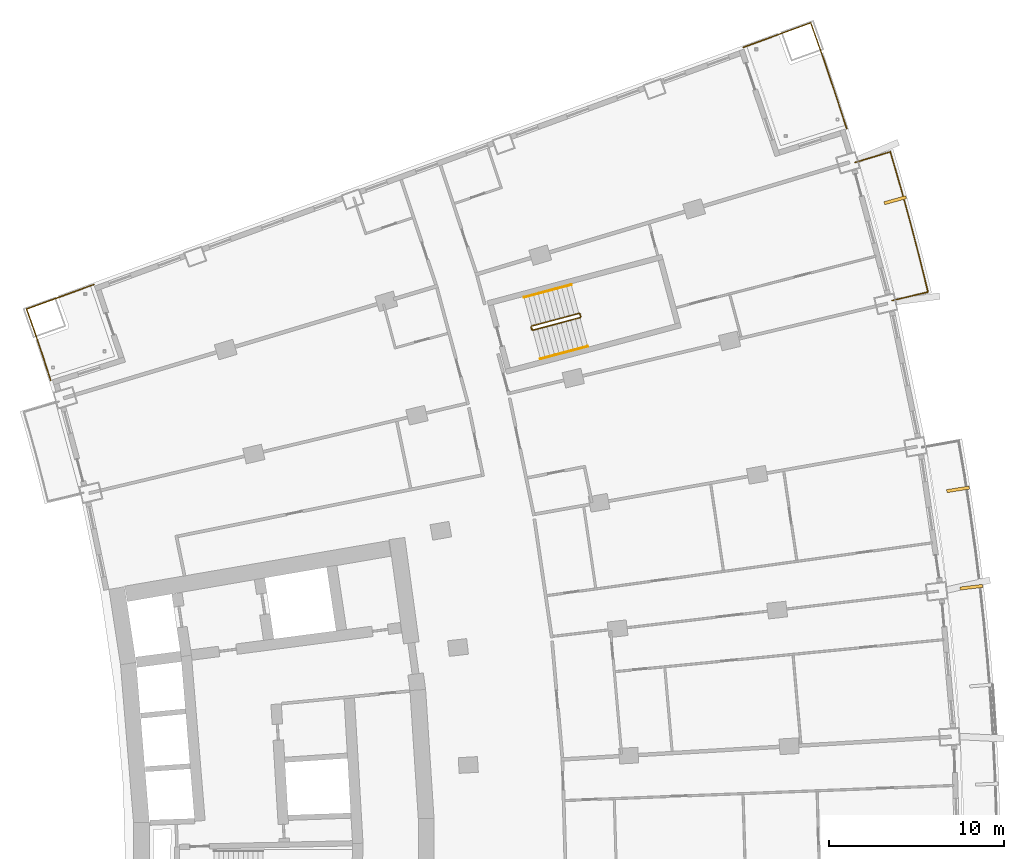
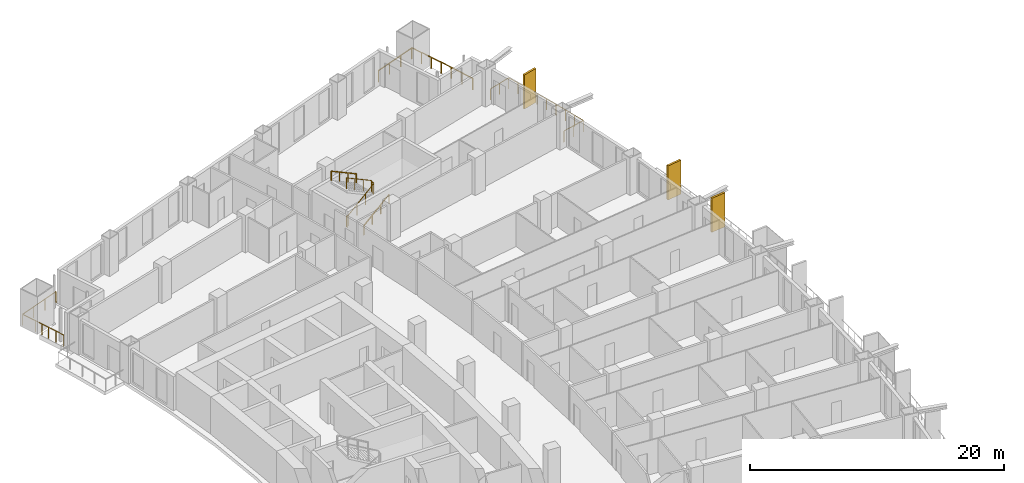
# One storey, part 25 of 25: 6 railings, 3 shading devices.
"""IFC4 building model written with IfcOpenShell, lengths in metres."""

import ifcopenshell
import ifcopenshell.guid

model = None  # the IFC model being written
_history = None  # IfcOwnerHistory: only IFC2X3 demands one
_inside = {}  # id of a spatial element -> (the spatial element, [elements in it])
_under = {}  # id of a project, library or spatial element -> (it, [spatial elements below it])
_declared = {}  # id of a project -> (the project, [libraries it declares])
_typed = {}  # id of a type object -> (the type object, [elements of that type])
_made_of = {}  # id of a material, layer set ... -> (it, [elements and type objects made of it])


def new_model(schema):
    """Start an empty IFC model of exactly this schema.

    Asked for "IFC4X3", IfcOpenShell would pick the latest addendum, in which some entities
    have other attributes; the version numbers below select the first issue.
    IFC2X3 requires an IfcOwnerHistory on every rooted entity: one is made here for all.
    """
    global model, _history
    if schema == "IFC4X3":
        model = ifcopenshell.file(schema_version=(4, 3, 0, 0))
    else:
        model = ifcopenshell.file(schema=schema)
    _inside.clear()
    _under.clear()
    _declared.clear()
    _typed.clear()
    _made_of.clear()
    _history = None
    if model.schema == "IFC2X3":
        org = make("IfcOrganization", Name="unknown")
        user = make(
            "IfcPersonAndOrganization",
            ThePerson=make("IfcPerson", FamilyName="unknown"),
            TheOrganization=org,
        )
        app = make(
            "IfcApplication",
            ApplicationDeveloper=org,
            Version="unknown",
            ApplicationFullName="unknown",
            ApplicationIdentifier="unknown",
        )
        _history = make(
            "IfcOwnerHistory",
            OwningUser=user,
            OwningApplication=app,
            ChangeAction="ADDED",
            CreationDate=0,
        )
    return model


def make(cls, **values):
    """One entity of the class cls with the attributes given. An attribute that is None is left unset."""
    return model.create_entity(
        cls, **{name: value for name, value in values.items() if value is not None}
    )


def rooted(cls, **values):
    """An entity with a GlobalId (a new one), such as an element, a storey or a relation."""
    return make(cls, GlobalId=ifcopenshell.guid.new(), OwnerHistory=_history, **values)


def si_unit(unit_type, name, prefix=None):
    """IfcSIUnit, for example si_unit("LENGTHUNIT", "METRE", prefix="MILLI")."""
    return make("IfcSIUnit", UnitType=unit_type, Prefix=prefix, Name=name)


def assignment(units):
    """IfcUnitAssignment: the units of a project."""
    return None if units is None else make("IfcUnitAssignment", Units=units)


def point(xyz):
    """IfcCartesianPoint."""
    return None if xyz is None else make("IfcCartesianPoint", Coordinates=xyz)


def direction(xyz):
    """IfcDirection."""
    return None if xyz is None else make("IfcDirection", DirectionRatios=xyz)


def frame(location, z_axis=None, x_axis=None):
    """IfcAxis2Placement3D, a coordinate frame: its origin and axes. An axis left out is left unset."""
    return make(
        "IfcAxis2Placement3D",
        Location=point(location),
        Axis=direction(z_axis),
        RefDirection=direction(x_axis),
    )


def frame_2d(location, x_axis=None):
    """IfcAxis2Placement2D, a coordinate frame in the plane: its origin and x axis."""
    return make(
        "IfcAxis2Placement2D", Location=point(location), RefDirection=direction(x_axis)
    )


def origin():
    """The frame at (0, 0, 0) with its axes left unset."""
    return frame((0.0, 0.0, 0.0))


def origin_2d():
    """The frame at (0, 0) in the plane with its x axis left unset."""
    return frame_2d((0.0, 0.0))


def place(relative_to, where):
    """IfcLocalPlacement: puts the frame where relative to a parent placement (None: the world)."""
    return make(
        "IfcLocalPlacement", PlacementRelTo=relative_to, RelativePlacement=where
    )


def context(
    kind, dimensions, precision=None, world=None, true_north=None, identifier=None
):
    """IfcGeometricRepresentationContext, for example the 3D "Model" context."""
    return make(
        "IfcGeometricRepresentationContext",
        ContextIdentifier=identifier,
        ContextType=kind,
        CoordinateSpaceDimension=dimensions,
        Precision=precision,
        WorldCoordinateSystem=world,
        TrueNorth=true_north,
    )


def subcontext(parent, identifier, kind, view, scale=None):
    """IfcGeometricRepresentationSubContext, for example "Body" below "Model"."""
    return make(
        "IfcGeometricRepresentationSubContext",
        ContextIdentifier=identifier,
        ContextType=kind,
        ParentContext=parent,
        TargetScale=scale,
        TargetView=view,
    )


def project(units=None, contexts=None):
    """IfcProject with its units and contexts."""
    return rooted(
        "IfcProject",
        Name="project",
        RepresentationContexts=contexts,
        UnitsInContext=assignment(units),
    )


def spatial(cls, under=None, at=None, **own):
    """A site, building, storey or space (cls), placed at a placement, below another one or the project."""
    s = rooted(cls, ObjectPlacement=at, **own)
    if under is not None:
        _under.setdefault(under.id(), (under, []))[1].append(s)
    return s


def profile(cls, at=None, kind="AREA", **sizes):
    """A parametric profile (cls). Its sizes go by their IFC names, for example OverallWidth=200.0."""
    return make(cls, ProfileType=kind, Position=at, **sizes)


def rectangle(**sizes):
    """IfcRectangleProfileDef."""
    return profile("IfcRectangleProfileDef", **sizes)


def extrude(swept, where, along, depth):
    """IfcExtrudedAreaSolid: the profile swept, set in the frame where, extruded along a direction by depth."""
    return make(
        "IfcExtrudedAreaSolid",
        SweptArea=swept,
        Position=where,
        ExtrudedDirection=direction(along),
        Depth=depth,
    )


def shape(context_of_items, identifier, shape_type, items):
    """IfcShapeRepresentation: the items that make up one representation, for example the "Body"."""
    return make(
        "IfcShapeRepresentation",
        ContextOfItems=context_of_items,
        RepresentationIdentifier=identifier,
        RepresentationType=shape_type,
        Items=items,
    )


def material(Name=None, Category=None):
    """IfcMaterial."""
    return make("IfcMaterial", Name=Name, Category=Category)


def layer(
    of_material, thickness, ventilated=None, Name=None, Category=None, Priority=None
):
    """IfcMaterialLayer: one layer of a wall or slab, of a material (None: an air gap)."""
    return make(
        "IfcMaterialLayer",
        Material=of_material,
        LayerThickness=thickness,
        IsVentilated=ventilated,
        Name=Name,
        Category=Category,
        Priority=Priority,
    )


def layer_set(layers, Name=None):
    """IfcMaterialLayerSet."""
    return make("IfcMaterialLayerSet", MaterialLayers=layers, LayerSetName=Name)


def made_of(thing, what):
    """Note that an element or type object is made of a material, layer set ...; save() writes the relation."""
    if what is not None:
        _made_of.setdefault(what.id(), (what, []))[1].append(thing)
    return thing


def type_object(cls, material=None, **own):
    """A type object (cls), such as IfcWallType, which elements share."""
    return made_of(rooted(cls, **own), material)


def element(
    cls,
    number,
    at=None,
    inside=None,
    cuts=None,
    type_object=None,
    material=None,
    context=None,
    identifier="Body",
    shape_type=None,
    held_by="IfcProductDefinitionShape",
    body=None,
    shapes=None,
    **own,
):
    """One element of the class cls, such as IfcWall. Its Tag is "e" and its number.

    at: its placement. inside: the storey or other place that contains it. cuts: it is an
    opening in that element (IfcRelVoidsElement). A single representation is given by context,
    identifier, shape_type and body (its items); several are given by shapes. held_by: the class
    of the entity that holds the representations. save() writes the other relations.
    """
    e = rooted(cls, Tag="e%d" % number, ObjectPlacement=at, **own)
    if body is not None:
        shapes = [shape(context, identifier, shape_type, body)]
    if shapes is not None:
        e.Representation = make(held_by, Representations=shapes)
    if inside is not None:
        _inside.setdefault(inside.id(), (inside, []))[1].append(e)
    if cuts is not None:
        rooted(
            "IfcRelVoidsElement", RelatingBuildingElement=cuts, RelatedOpeningElement=e
        )
    if type_object is not None:
        _typed.setdefault(type_object.id(), (type_object, []))[1].append(e)
    return made_of(e, material)


def aggregate(whole, parts):
    """IfcRelAggregates: a whole, such as a stair, and the parts it consists of."""
    return rooted("IfcRelAggregates", RelatingObject=whole, RelatedObjects=parts)


def save(model, path):
    """Write the relations noted so far, then the file.

    IfcRelAggregates (storeys below a building ...), IfcRelContainedInSpatialStructure (elements
    in a storey), IfcRelDefinesByType, IfcRelAssociatesMaterial and IfcRelDeclares: one each for
    every whole, place, type object, material and project.
    """
    for whole, parts in _under.values():
        aggregate(whole, parts)
    for where, things in _inside.values():
        rooted(
            "IfcRelContainedInSpatialStructure",
            RelatedElements=things,
            RelatingStructure=where,
        )
    for kind, things in _typed.values():
        rooted("IfcRelDefinesByType", RelatedObjects=things, RelatingType=kind)
    for what, things in _made_of.values():
        rooted("IfcRelAssociatesMaterial", RelatedObjects=things, RelatingMaterial=what)
    for by, libraries in _declared.values():
        rooted("IfcRelDeclares", RelatingContext=by, RelatedDefinitions=libraries)
    model.write(path)


model = new_model("IFC4")

# Units and contexts
model_context = context("Model", 3, precision=1e-05, world=origin(), true_north=direction((0.0, 1.0)))
body_context = subcontext(model_context, "Body", "Model", "MODEL_VIEW")
ifc_project = project(units=[si_unit("LENGTHUNIT", "METRE"), si_unit("AREAUNIT", "SQUARE_METRE"), si_unit("VOLUMEUNIT", "CUBIC_METRE"), si_unit("PLANEANGLEUNIT", "RADIAN"), si_unit("MASSUNIT", "GRAM", prefix="KILO")], contexts=[model_context])

# Site, building, storey
site_placement = place(None, origin())
site = spatial("IfcSite", under=ifc_project, at=site_placement, CompositionType="ELEMENT")
building_placement = place(site_placement, origin())
building = spatial("IfcBuilding", under=site, at=building_placement, Name="Alderwake Tower", CompositionType="ELEMENT")
storey_placement = place(building_placement, frame((0.0, 0.0, 35.60009765625)))
storey = spatial("IfcBuildingStorey", under=building, at=storey_placement, Name="L07", CompositionType="ELEMENT", Elevation=35.60009765625)

# Railings
ifc_material_1 = material(Name="Stainless steel 316 rail and posts", Category="steel")
railing_type_1 = type_object("IfcRailingType", Name="Balcony guard 1100", PredefinedType="GUARDRAIL", material=ifc_material_1)
railing_1_placement = place(storey_placement, frame((59.88037109375, 94.345703125, 0.0)))
element("IfcRailing", 1, at=railing_1_placement, inside=storey, type_object=railing_type_1, Name="Guard BF11", PredefinedType="GUARDRAIL", context=body_context, shape_type="SweptSolid", body=[
    extrude(rectangle(XDim=0.048095703125, YDim=0.048095703125, at=origin_2d()), frame((0.0, 0.0, 1.076171875), z_axis=(0.972757543149, 0.231824852521, 0.0), x_axis=(-0.231824852521, 0.972757543149, 0.0)), (0.0, 0.0, 1.0), 2.099853515625),
    extrude(rectangle(XDim=0.048095703125, YDim=0.048095703125, at=origin_2d()), frame((2.042724609375, 0.48681640625, 1.076171875), z_axis=(-0.238624335731, 0.971111953586, 0.0), x_axis=(-0.971111953586, -0.238624335731, 0.0)), (0.0, 0.0, 1.0), 2.02783203125),
    extrude(rectangle(XDim=0.048095703125, YDim=0.048095703125, at=origin_2d()), frame((1.558837890625, 2.4560546875, 1.076171875), z_axis=(-0.252459268242, 0.967607522645, 0.0), x_axis=(-0.967607522645, -0.252459268242, 0.0)), (0.0, 0.0, 1.0), 2.12744140625),
    extrude(rectangle(XDim=0.048095703125, YDim=0.048095703125, at=origin_2d()), frame((1.021728515625, 4.5146484375, 1.076171875), z_axis=(-0.266542966144, 0.963823037284, 0.0), x_axis=(-0.963823037284, -0.266542966144, 0.0)), (0.0, 0.0, 1.0), 2.127685546875),
    extrude(rectangle(XDim=0.048095703125, YDim=0.048095703125, at=origin_2d()), frame((0.45458984375, 6.5654296875, 1.076171875), z_axis=(-0.280171060033, 0.959950090953, 0.0), x_axis=(-0.959950090953, -0.280171060033, 0.0)), (0.0, 0.0, 1.0), 2.02783203125),
    extrude(rectangle(XDim=0.048095703125, YDim=0.048095703125, at=origin_2d()), frame((-0.113525390625, 8.511962890625, 1.076171875), z_axis=(-0.957954179098, -0.286921227429, 0.0), x_axis=(0.286921227429, -0.957954179098, 0.0)), (0.0, 0.0, 1.0), 2.10009765625),
    extrude(rectangle(XDim=0.0419921875, YDim=0.0419921875, at=origin_2d()), frame((0.0, 0.0, 0.0), z_axis=(0.0, 0.0, 1.0), x_axis=(0.972757543149, 0.231824852521, 0.0)), (0.0, 0.0, 1.0), 1.052001953125),
    extrude(rectangle(XDim=0.0419921875, YDim=0.0419921875, at=origin_2d()), frame((1.021484375, 0.243408203125, 0.0), z_axis=(0.0, 0.0, 1.0), x_axis=(0.972757543149, 0.231824852521, 0.0)), (0.0, 0.0, 1.0), 1.052001953125),
    extrude(rectangle(XDim=0.0419921875, YDim=0.0419921875, at=origin_2d()), frame((2.042724609375, 0.48681640625, 0.0), z_axis=(0.0, 0.0, 1.0), x_axis=(-0.238624335731, 0.971111953586, 0.0)), (0.0, 0.0, 1.0), 1.052001953125),
    extrude(rectangle(XDim=0.0419921875, YDim=0.0419921875, at=origin_2d()), frame((1.80078125, 1.471435546875, 0.0), z_axis=(0.0, 0.0, 1.0), x_axis=(-0.238624335731, 0.971111953586, 0.0)), (0.0, 0.0, 1.0), 1.052001953125),
    extrude(rectangle(XDim=0.0419921875, YDim=0.0419921875, at=origin_2d()), frame((1.558837890625, 2.4560546875, 0.0), z_axis=(0.0, 0.0, 1.0), x_axis=(-0.252459268242, 0.967607522645, 0.0)), (0.0, 0.0, 1.0), 1.052001953125),
    extrude(rectangle(XDim=0.0419921875, YDim=0.0419921875, at=origin_2d()), frame((1.290283203125, 3.4853515625, 0.0), z_axis=(0.0, 0.0, 1.0), x_axis=(-0.252459268242, 0.967607522645, 0.0)), (0.0, 0.0, 1.0), 1.052001953125),
    extrude(rectangle(XDim=0.0419921875, YDim=0.0419921875, at=origin_2d()), frame((1.021728515625, 4.5146484375, 0.0), z_axis=(0.0, 0.0, 1.0), x_axis=(-0.266542966144, 0.963823037284, 0.0)), (0.0, 0.0, 1.0), 1.052001953125),
    extrude(rectangle(XDim=0.0419921875, YDim=0.0419921875, at=origin_2d()), frame((0.73828125, 5.5400390625, 0.0), z_axis=(0.0, 0.0, 1.0), x_axis=(-0.266542966144, 0.963823037284, 0.0)), (0.0, 0.0, 1.0), 1.052001953125),
    extrude(rectangle(XDim=0.0419921875, YDim=0.0419921875, at=origin_2d()), frame((0.45458984375, 6.5654296875, 0.0), z_axis=(0.0, 0.0, 1.0), x_axis=(-0.280171060033, 0.959950090953, 0.0)), (0.0, 0.0, 1.0), 1.052001953125),
    extrude(rectangle(XDim=0.0419921875, YDim=0.0419921875, at=origin_2d()), frame((0.17041015625, 7.53857421875, 0.0), z_axis=(0.0, 0.0, 1.0), x_axis=(-0.280171060033, 0.959950090953, 0.0)), (0.0, 0.0, 1.0), 1.052001953125),
    extrude(rectangle(XDim=0.0419921875, YDim=0.0419921875, at=origin_2d()), frame((-0.113525390625, 8.511962890625, 0.0), z_axis=(0.0, 0.0, 1.0), x_axis=(-0.957954179098, -0.286921227429, 0.0)), (0.0, 0.0, 1.0), 1.052001953125),
    extrude(rectangle(XDim=0.0419921875, YDim=0.0419921875, at=origin_2d()), frame((-1.119384765625, 8.210693359375, 0.0), z_axis=(0.0, 0.0, 1.0), x_axis=(-0.957954179098, -0.286921227429, 0.0)), (0.0, 0.0, 1.0), 1.052001953125),
    extrude(rectangle(XDim=0.0419921875, YDim=0.0419921875, at=origin_2d()), frame((-2.125244140625, 7.909423828125, 0.0), z_axis=(0.0, 0.0, 1.0), x_axis=(-0.957954179098, -0.286921227429, 0.0)), (0.0, 0.0, 1.0), 1.052001953125),
])
railing_2_placement = place(storey_placement, frame((57.2646484375, 104.193115234375, 0.0)))
element("IfcRailing", 2, at=railing_2_placement, inside=storey, type_object=railing_type_1, Name="Guard terrace FN", PredefinedType="GUARDRAIL", context=body_context, shape_type="SweptSolid", body=[
    extrude(rectangle(XDim=0.048095703125, YDim=0.048095703125, at=origin_2d()), frame((0.0, 0.0, 1.076171875), z_axis=(-0.307834426273, 0.951439943455, 0.0), x_axis=(-0.951439943455, -0.307834426273, 0.0)), (0.0, 0.0, 1.0), 2.29833984375),
    extrude(rectangle(XDim=0.048095703125, YDim=0.048095703125, at=origin_2d()), frame((-0.70751953125, 2.186767578125, 1.076171875), z_axis=(-0.322259361339, 0.946651416324, 0.0), x_axis=(-0.946651416324, -0.322259361339, 0.0)), (0.0, 0.0, 1.0), 2.0986328125),
    extrude(rectangle(XDim=0.048095703125, YDim=0.048095703125, at=origin_2d()), frame((-1.3837890625, 4.17333984375, 1.076171875), z_axis=(-0.335694014626, 0.941971086894, 0.0), x_axis=(-0.941971086894, -0.335694014626, 0.0)), (0.0, 0.0, 1.0), 1.99853515625),
    extrude(rectangle(XDim=0.048095703125, YDim=0.048095703125, at=origin_2d()), frame((-2.0546875, 6.055908203125, 1.076171875), z_axis=(-0.939598546558, -0.342278499627, 0.0), x_axis=(0.342278499627, -0.939598546558, 0.0)), (0.0, 0.0, 1.0), 4.099853515625),
    extrude(rectangle(XDim=0.0419921875, YDim=0.0419921875, at=origin_2d()), frame((0.0, 0.0, 0.0), z_axis=(0.0, 0.0, 1.0), x_axis=(-0.307834426273, 0.951439943455, 0.0)), (0.0, 0.0, 1.0), 1.052001953125),
    extrude(rectangle(XDim=0.0419921875, YDim=0.0419921875, at=origin_2d()), frame((-0.353759765625, 1.09326171875, 0.0), z_axis=(0.0, 0.0, 1.0), x_axis=(-0.307834426273, 0.951439943455, 0.0)), (0.0, 0.0, 1.0), 1.052001953125),
    extrude(rectangle(XDim=0.0419921875, YDim=0.0419921875, at=origin_2d()), frame((-0.70751953125, 2.186767578125, 0.0), z_axis=(0.0, 0.0, 1.0), x_axis=(-0.322259361339, 0.946651416324, 0.0)), (0.0, 0.0, 1.0), 1.052001953125),
    extrude(rectangle(XDim=0.0419921875, YDim=0.0419921875, at=origin_2d()), frame((-1.045654296875, 3.18017578125, 0.0), z_axis=(0.0, 0.0, 1.0), x_axis=(-0.322259361339, 0.946651416324, 0.0)), (0.0, 0.0, 1.0), 1.052001953125),
    extrude(rectangle(XDim=0.0419921875, YDim=0.0419921875, at=origin_2d()), frame((-1.3837890625, 4.17333984375, 0.0), z_axis=(0.0, 0.0, 1.0), x_axis=(-0.335694014626, 0.941971086894, 0.0)), (0.0, 0.0, 1.0), 1.052001953125),
    extrude(rectangle(XDim=0.0419921875, YDim=0.0419921875, at=origin_2d()), frame((-1.71923828125, 5.11474609375, 0.0), z_axis=(0.0, 0.0, 1.0), x_axis=(-0.335694014626, 0.941971086894, 0.0)), (0.0, 0.0, 1.0), 1.052001953125),
    extrude(rectangle(XDim=0.0419921875, YDim=0.0419921875, at=origin_2d()), frame((-2.0546875, 6.055908203125, 0.0), z_axis=(0.0, 0.0, 1.0), x_axis=(-0.939598546558, -0.342278499627, 0.0)), (0.0, 0.0, 1.0), 1.052001953125),
    extrude(rectangle(XDim=0.0419921875, YDim=0.0419921875, at=origin_2d()), frame((-3.3388671875, 5.588134765625, 0.0), z_axis=(0.0, 0.0, 1.0), x_axis=(-0.939598546558, -0.342278499627, 0.0)), (0.0, 0.0, 1.0), 1.052001953125),
    extrude(rectangle(XDim=0.0419921875, YDim=0.0419921875, at=origin_2d()), frame((-4.622802734375, 5.120361328125, 0.0), z_axis=(0.0, 0.0, 1.0), x_axis=(-0.939598546558, -0.342278499627, 0.0)), (0.0, 0.0, 1.0), 1.052001953125),
    extrude(rectangle(XDim=0.0419921875, YDim=0.0419921875, at=origin_2d()), frame((-5.906982421875, 4.652587890625, 0.0), z_axis=(0.0, 0.0, 1.0), x_axis=(-0.939598546558, -0.342278499627, 0.0)), (0.0, 0.0, 1.0), 1.052001953125),
])
railing_3_placement = place(storey_placement, frame((11.688720703125, 89.781982421875, 0.0)))
element("IfcRailing", 3, at=railing_3_placement, inside=storey, type_object=railing_type_1, Name="Guard terrace RN", PredefinedType="GUARDRAIL", context=body_context, shape_type="SweptSolid", body=[
    extrude(rectangle(XDim=0.048095703125, YDim=0.048095703125, at=origin_2d()), frame((0.0, 0.0, 1.076171875), z_axis=(-0.307479326145, 0.951554761426, 0.0), x_axis=(-0.951554761426, -0.307479326145, 0.0)), (0.0, 0.0, 1.0), 1.6015625),
    extrude(rectangle(XDim=0.048095703125, YDim=0.048095703125, at=origin_2d()), frame((-0.492431640625, 1.52392578125, 1.076171875), z_axis=(-0.322283727344, 0.946643121292, 0.0), x_axis=(-0.946643121292, -0.322283727344, 0.0)), (0.0, 0.0, 1.0), 1.4013671875),
    extrude(rectangle(XDim=0.048095703125, YDim=0.048095703125, at=origin_2d()), frame((-0.944091796875, 2.8505859375, 1.076171875), z_axis=(-0.335468607403, 0.942051385778, 0.0), x_axis=(-0.942051385778, -0.335468607403, 0.0)), (0.0, 0.0, 1.0), 1.30126953125),
    extrude(rectangle(XDim=0.048095703125, YDim=0.048095703125, at=origin_2d()), frame((-1.380615234375, 4.076416015625, 1.076171875), z_axis=(0.939708203232, 0.341977327873, 0.0), x_axis=(-0.341977327873, 0.939708203232, 0.0)), (0.0, 0.0, 1.0), 4.10009765625),
    extrude(rectangle(XDim=0.0419921875, YDim=0.0419921875, at=origin_2d()), frame((0.0, 0.0, 0.0), z_axis=(0.0, 0.0, 1.0), x_axis=(-0.307479326145, 0.951554761426, 0.0)), (0.0, 0.0, 1.0), 1.052001953125),
    extrude(rectangle(XDim=0.0419921875, YDim=0.0419921875, at=origin_2d()), frame((-0.24609375, 0.761962890625, 0.0), z_axis=(0.0, 0.0, 1.0), x_axis=(-0.307479326145, 0.951554761426, 0.0)), (0.0, 0.0, 1.0), 1.052001953125),
    extrude(rectangle(XDim=0.0419921875, YDim=0.0419921875, at=origin_2d()), frame((-0.492431640625, 1.52392578125, 0.0), z_axis=(0.0, 0.0, 1.0), x_axis=(-0.322283727344, 0.946643121292, 0.0)), (0.0, 0.0, 1.0), 1.052001953125),
    extrude(rectangle(XDim=0.0419921875, YDim=0.0419921875, at=origin_2d()), frame((-0.71826171875, 2.187255859375, 0.0), z_axis=(0.0, 0.0, 1.0), x_axis=(-0.322283727344, 0.946643121292, 0.0)), (0.0, 0.0, 1.0), 1.052001953125),
    extrude(rectangle(XDim=0.0419921875, YDim=0.0419921875, at=origin_2d()), frame((-0.944091796875, 2.8505859375, 0.0), z_axis=(0.0, 0.0, 1.0), x_axis=(-0.335468607403, 0.942051385778, 0.0)), (0.0, 0.0, 1.0), 1.052001953125),
    extrude(rectangle(XDim=0.0419921875, YDim=0.0419921875, at=origin_2d()), frame((-1.380615234375, 4.076416015625, 0.0), z_axis=(0.0, 0.0, 1.0), x_axis=(0.939708203232, 0.341977327873, 0.0)), (0.0, 0.0, 1.0), 1.052001953125),
    extrude(rectangle(XDim=0.0419921875, YDim=0.0419921875, at=origin_2d()), frame((-0.096435546875, 4.543701171875, 0.0), z_axis=(0.0, 0.0, 1.0), x_axis=(0.939708203232, 0.341977327873, 0.0)), (0.0, 0.0, 1.0), 1.052001953125),
    extrude(rectangle(XDim=0.0419921875, YDim=0.0419921875, at=origin_2d()), frame((1.18798828125, 5.01123046875, 0.0), z_axis=(0.0, 0.0, 1.0), x_axis=(0.939708203232, 0.341977327873, 0.0)), (0.0, 0.0, 1.0), 1.052001953125),
    extrude(rectangle(XDim=0.0419921875, YDim=0.0419921875, at=origin_2d()), frame((2.47216796875, 5.478515625, 0.0), z_axis=(0.0, 0.0, 1.0), x_axis=(0.939708203232, 0.341977327873, 0.0)), (0.0, 0.0, 1.0), 1.052001953125),
])

# Shading devices
ifc_material_2 = material(Name="Bronze anodised aluminium", Category="aluminium")
ifc_layer = layer(ifc_material_2, 0.179931640625)
ifc_layer_set = layer_set([ifc_layer], Name="Facade fin 1300")
shading_device_type = type_object("IfcShadingDeviceType", Name="Facade fin 1300", PredefinedType="USERDEFINED", material=ifc_layer_set)
for number, where, z_axis, x_axis, name in (
    (4, (64.410888671875, 77.9296875, 0.0), (0.0, 0.0, 1.0), (0.993198315083, 0.116434990084, 0.0), "Fin"),
    (5, (63.643310546875, 83.533203125, 0.0), (0.0, 0.0, 1.0), (0.987918787879, 0.154972476771, 0.0), "Fin"),
    (6, (60.046630859375, 100.0908203125, 0.0), (0.0, 0.0, 1.0), (0.96318180783, 0.268850897459, 0.0), "Fin"),
):
    element("IfcShadingDevice", number, at=place(storey_placement, frame(where, z_axis=z_axis, x_axis=x_axis)), inside=storey, type_object=shading_device_type, Name=name, ObjectType="FIN", PredefinedType="USERDEFINED", context=body_context, shape_type="SweptSolid", body=[
        extrude(rectangle(XDim=1.300048828125, YDim=0.179931640625, at=origin_2d()), origin(), (0.0, 0.0, 1.0), 3.280029296875),
    ])

# Railings
ifc_material_3 = material(Name="Stainless steel guard", Category="steel")
railing_type_2 = type_object("IfcRailingType", Name="Stair guard 1100", PredefinedType="GUARDRAIL", material=ifc_material_3)
railing_4_placement = place(storey_placement, frame((39.23291015625, 92.6806640625, 0.0)))
element("IfcRailing", 7, at=railing_4_placement, inside=storey, type_object=railing_type_2, Name="L07 ST-A stair guard 1", PredefinedType="GUARDRAIL", context=body_context, shape_type="SweptSolid", body=[
    extrude(rectangle(XDim=0.048095703125, YDim=0.048095703125, at=origin_2d()), frame((0.0, 0.0, 1.076171875), z_axis=(-0.257055032184, 0.966396766566, 0.0), x_axis=(-0.966396766566, -0.257055032184, 0.0)), (0.0, 0.0, 1.0), 0.150146484375),
    extrude(rectangle(XDim=0.048095703125, YDim=0.048095703125, at=origin_2d()), frame((-0.03857421875, 0.14501953125, 1.076171875), z_axis=(0.379370725808, -0.685464465458, 0.621463047167), x_axis=(0.874937996095, 0.484234966715, 0.0)), (0.0, 0.0, 1.0), 0.26318359375),
    extrude(rectangle(XDim=0.048095703125, YDim=0.048095703125, at=origin_2d()), frame((0.061279296875, -0.035400390625, 1.23974609375), z_axis=(0.834290631165, 0.222236594766, 0.504549342183), x_axis=(-0.257402139082, 0.966304371715, 0.0)), (0.0, 0.0, 1.0), 3.242919921875),
    extrude(rectangle(XDim=0.048095703125, YDim=0.048095703125, at=origin_2d()), frame((2.766845703125, 0.685302734375, 2.8759765625), z_axis=(0.500220121494, 0.865898279276, 0.0), x_axis=(-0.865898279276, 0.500220121494, 0.0)), (0.0, 0.0, 1.0), 0.07080078125),
    extrude(rectangle(XDim=0.048095703125, YDim=0.048095703125, at=origin_2d()), frame((2.80224609375, 0.74658203125, 2.8759765625), z_axis=(-0.257459803502, 0.966289009345, 0.0), x_axis=(-0.966289009345, -0.257459803502, 0.0)), (0.0, 0.0, 1.0), 0.14990234375),
    extrude(rectangle(XDim=0.048095703125, YDim=0.048095703125, at=origin_2d()), frame((2.763671875, 0.891357421875, 2.8759765625), z_axis=(-0.34209458732, 0.199783238995, 0.918181872367), x_axis=(-0.504300490226, -0.863528236688, 0.0)), (0.0, 0.0, 1.0), 0.178466796875),
    extrude(rectangle(XDim=0.048095703125, YDim=0.048095703125, at=origin_2d()), frame((2.70263671875, 0.927001953125, 3.03955078125), z_axis=(-0.834313512087, -0.222222637163, 0.504517653885), x_axis=(0.257380452725, -0.966310148221, 0.0)), (0.0, 0.0, 1.0), 3.2431640625),
    extrude(rectangle(XDim=0.0419921875, YDim=0.0419921875, at=origin_2d()), frame((0.0, 0.0, 0.0), z_axis=(0.0, 0.0, 1.0), x_axis=(-0.257055032184, 0.966396766566, 0.0)), (0.0, 0.0, 1.0), 1.052001953125),
    extrude(rectangle(XDim=0.0419921875, YDim=0.0419921875, at=origin_2d()), frame((-0.03857421875, 0.14501953125, 0.0), z_axis=(0.0, 0.0, 1.0), x_axis=(0.484234966715, -0.874937996095, 0.0)), (0.0, 0.0, 1.0), 1.052001953125),
    extrude(rectangle(XDim=0.0419921875, YDim=0.0419921875, at=origin_2d()), frame((0.061279296875, -0.035400390625, 0.16357421875), z_axis=(0.0, 0.0, 1.0), x_axis=(0.966304371715, 0.257402139082, 0.0)), (0.0, 0.0, 1.0), 1.052001953125),
    extrude(rectangle(XDim=0.0419921875, YDim=0.0419921875, at=origin_2d()), frame((0.963134765625, 0.204833984375, 0.708984375), z_axis=(0.0, 0.0, 1.0), x_axis=(0.966304371715, 0.257402139082, 0.0)), (0.0, 0.0, 1.0), 1.052001953125),
    extrude(rectangle(XDim=0.0419921875, YDim=0.0419921875, at=origin_2d()), frame((1.864990234375, 0.445068359375, 1.25439453125), z_axis=(0.0, 0.0, 1.0), x_axis=(0.966304371715, 0.257402139082, 0.0)), (0.0, 0.0, 1.0), 1.052001953125),
    extrude(rectangle(XDim=0.0419921875, YDim=0.0419921875, at=origin_2d()), frame((2.766845703125, 0.685302734375, 1.7998046875), z_axis=(0.0, 0.0, 1.0), x_axis=(0.500220121494, 0.865898279276, 0.0)), (0.0, 0.0, 1.0), 1.052001953125),
    extrude(rectangle(XDim=0.0419921875, YDim=0.0419921875, at=origin_2d()), frame((2.80224609375, 0.74658203125, 1.7998046875), z_axis=(0.0, 0.0, 1.0), x_axis=(-0.257459803502, 0.966289009345, 0.0)), (0.0, 0.0, 1.0), 1.052001953125),
    extrude(rectangle(XDim=0.0419921875, YDim=0.0419921875, at=origin_2d()), frame((2.763671875, 0.891357421875, 1.7998046875), z_axis=(0.0, 0.0, 1.0), x_axis=(-0.863528236688, 0.504300490226, 0.0)), (0.0, 0.0, 1.0), 1.052001953125),
    extrude(rectangle(XDim=0.0419921875, YDim=0.0419921875, at=origin_2d()), frame((2.70263671875, 0.927001953125, 1.963623046875), z_axis=(0.0, 0.0, 1.0), x_axis=(-0.966310148221, -0.257380452725, 0.0)), (0.0, 0.0, 1.0), 1.052001953125),
    extrude(rectangle(XDim=0.0419921875, YDim=0.0419921875, at=origin_2d()), frame((1.80078125, 0.686767578125, 2.509033203125), z_axis=(0.0, 0.0, 1.0), x_axis=(-0.966310148221, -0.257380452725, 0.0)), (0.0, 0.0, 1.0), 1.052001953125),
    extrude(rectangle(XDim=0.0419921875, YDim=0.0419921875, at=origin_2d()), frame((0.898681640625, 0.446533203125, 3.054443359375), z_axis=(0.0, 0.0, 1.0), x_axis=(-0.966310148221, -0.257380452725, 0.0)), (0.0, 0.0, 1.0), 1.052001953125),
    extrude(rectangle(XDim=0.0419921875, YDim=0.0419921875, at=origin_2d()), frame((-0.003173828125, 0.206298828125, 3.599853515625), z_axis=(0.0, 0.0, 1.0), x_axis=(-0.966310148221, -0.257380452725, 0.0)), (0.0, 0.0, 1.0), 1.052001953125),
])
ifc_material_4 = material(Name="Stainless steel handrail", Category="steel")
railing_type_3 = type_object("IfcRailingType", Name="Stair handrail 900", PredefinedType="HANDRAIL", material=ifc_material_4)
railing_5_placement = place(storey_placement, frame((39.731689453125, 91.002685546875, 0.16357421875)))
element("IfcRailing", 8, at=railing_5_placement, inside=storey, type_object=railing_type_3, Name="L07 ST-A stair handrail 1", PredefinedType="HANDRAIL", context=body_context, shape_type="SweptSolid", body=[
    extrude(rectangle(XDim=0.048095703125, YDim=0.048095703125, at=origin_2d()), frame((0.0, 0.0, 0.8759765625), z_axis=(0.834290631165, 0.222236594766, 0.504549342183), x_axis=(-0.257402139082, 0.966304371715, 0.0)), (0.0, 0.0, 1.0), 3.242919921875),
    extrude(rectangle(XDim=0.0419921875, YDim=0.0419921875, at=origin_2d()), frame((0.0, 0.0, 0.0), z_axis=(0.0, 0.0, 1.0), x_axis=(0.966304371715, 0.257402139082, 0.0)), (0.0, 0.0, 1.0), 0.851806640625),
    extrude(rectangle(XDim=0.0419921875, YDim=0.0419921875, at=origin_2d()), frame((0.90185546875, 0.240234375, 0.54541015625), z_axis=(0.0, 0.0, 1.0), x_axis=(0.966304371715, 0.257402139082, 0.0)), (0.0, 0.0, 1.0), 0.851806640625),
    extrude(rectangle(XDim=0.0419921875, YDim=0.0419921875, at=origin_2d()), frame((1.8037109375, 0.48046875, 1.0908203125), z_axis=(0.0, 0.0, 1.0), x_axis=(0.966304371715, 0.257402139082, 0.0)), (0.0, 0.0, 1.0), 0.851806640625),
    extrude(rectangle(XDim=0.0419921875, YDim=0.0419921875, at=origin_2d()), frame((2.70556640625, 0.720703125, 1.63623046875), z_axis=(0.0, 0.0, 1.0), x_axis=(0.966304371715, 0.257402139082, 0.0)), (0.0, 0.0, 1.0), 0.851806640625),
])
railing_6_placement = place(storey_placement, frame((41.497802734375, 95.250244140625, 1.963623046875)))
element("IfcRailing", 9, at=railing_6_placement, inside=storey, type_object=railing_type_3, Name="L07 ST-A stair handrail 2", PredefinedType="HANDRAIL", context=body_context, shape_type="SweptSolid", body=[
    extrude(rectangle(XDim=0.048095703125, YDim=0.048095703125, at=origin_2d()), frame((0.0, 0.0, 0.8759765625), z_axis=(-0.834290631165, -0.222236594766, 0.504549342183), x_axis=(0.257402139082, -0.966304371715, 0.0)), (0.0, 0.0, 1.0), 3.242919921875),
    extrude(rectangle(XDim=0.0419921875, YDim=0.0419921875, at=origin_2d()), frame((0.0, 0.0, 0.0), z_axis=(0.0, 0.0, 1.0), x_axis=(-0.966304371715, -0.257402139082, 0.0)), (0.0, 0.0, 1.0), 0.851806640625),
    extrude(rectangle(XDim=0.0419921875, YDim=0.0419921875, at=origin_2d()), frame((-0.90185546875, -0.240234375, 0.54541015625), z_axis=(0.0, 0.0, 1.0), x_axis=(-0.966304371715, -0.257402139082, 0.0)), (0.0, 0.0, 1.0), 0.851806640625),
    extrude(rectangle(XDim=0.0419921875, YDim=0.0419921875, at=origin_2d()), frame((-1.8037109375, -0.48046875, 1.0908203125), z_axis=(0.0, 0.0, 1.0), x_axis=(-0.966304371715, -0.257402139082, 0.0)), (0.0, 0.0, 1.0), 0.851806640625),
    extrude(rectangle(XDim=0.0419921875, YDim=0.0419921875, at=origin_2d()), frame((-2.70556640625, -0.720703125, 1.63623046875), z_axis=(0.0, 0.0, 1.0), x_axis=(-0.966304371715, -0.257402139082, 0.0)), (0.0, 0.0, 1.0), 0.851806640625),
])

save(model, "model.ifc")
